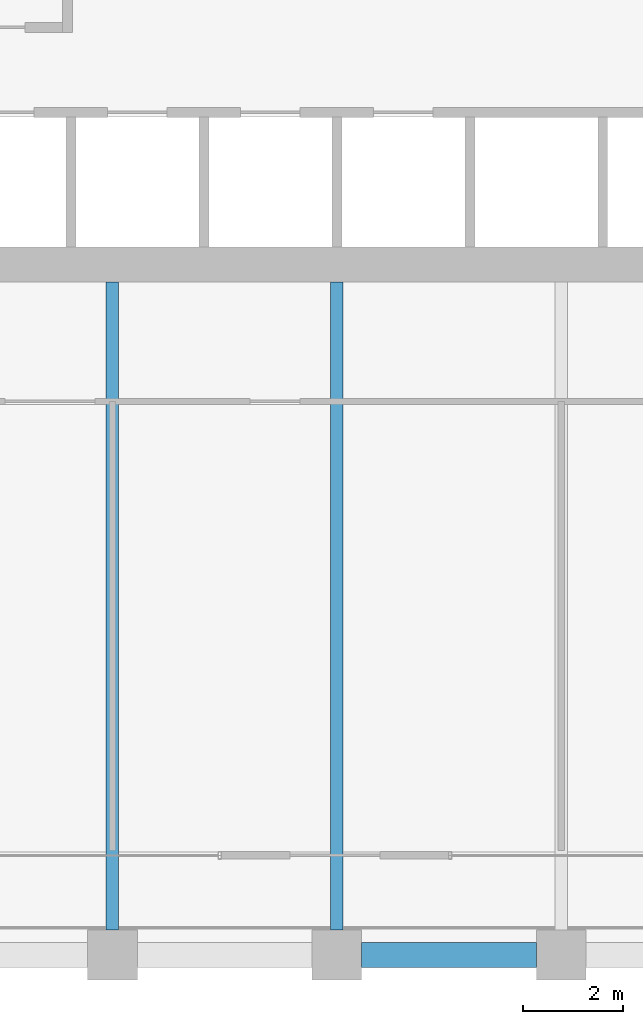
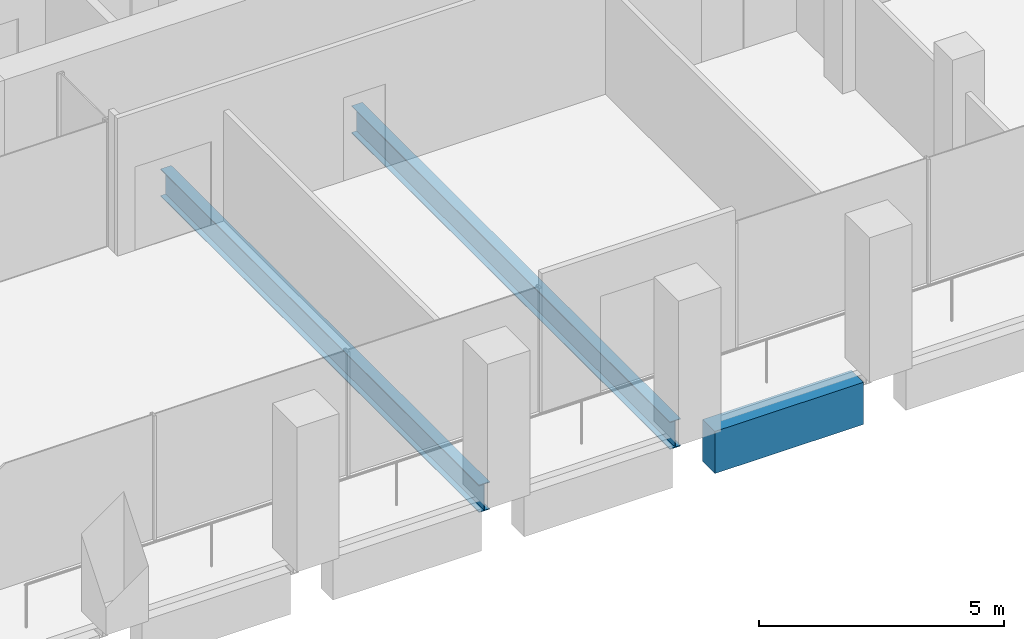
# One storey, part 8 of 47: 3 beams.
"""IFC4 building model written with IfcOpenShell, lengths in metres."""

from ifc_helpers import new_model, si_unit, direction, frame, origin, origin_2d, place, context, subcontext, project, spatial, rectangle, i_section, extrude, material, material_profile, profile_set, type_object, element, save


model = new_model("IFC4")

# Units and contexts
model_context = context("Model", 3, precision=1e-05, world=origin(), true_north=direction((0.0, 1.0)))
body_context = subcontext(model_context, "Body", "Model", "MODEL_VIEW")
ifc_project = project(units=[si_unit("LENGTHUNIT", "METRE"), si_unit("AREAUNIT", "SQUARE_METRE"), si_unit("VOLUMEUNIT", "CUBIC_METRE"), si_unit("PLANEANGLEUNIT", "RADIAN"), si_unit("MASSUNIT", "GRAM", prefix="KILO")], contexts=[model_context])

# Site, building, storey
site_placement = place(None, origin())
site = spatial("IfcSite", under=ifc_project, at=site_placement, CompositionType="ELEMENT")
building_placement = place(site_placement, origin())
building = spatial("IfcBuilding", under=site, at=building_placement, Name="Altepetl Exchange Towers", CompositionType="ELEMENT")
storey_placement = place(building_placement, frame((0.0, 0.0, 95.60009765625)))
storey = spatial("IfcBuildingStorey", under=building, at=storey_placement, Name="L23", CompositionType="ELEMENT", Elevation=95.60009765625)

# Beams
ifc_material_1 = material(Name="Steel S355", Category="steel")
ifc_material_profile_1 = material_profile(ifc_material_1, i_section(OverallWidth=0.25390625, OverallDepth=0.68408203125, WebThickness=0.012451171875, FlangeThickness=0.018798828125, at=origin_2d()), Name="W27X94")
ifc_profile_set_1 = profile_set([ifc_material_profile_1], Name="Steel S355")
beam_type_1 = type_object("IfcBeamType", Name="Floor beam W27X94", PredefinedType="BEAM", material=ifc_profile_set_1)
for number, where, z_axis, x_axis, name in (
    (1, (45.0, 27.5, -0.4921875), (0.0, 1.0, 0.0), (-1.0, 0.0, 0.0), "bm:A:L23:015"),
    (2, (49.5, 27.5, -0.4921875), (0.0, 1.0, 0.0), (-1.0, 0.0, 0.0), "bm:A:L23:016"),
):
    element("IfcBeam", number, at=place(storey_placement, frame(where, z_axis=z_axis, x_axis=x_axis)), inside=storey, type_object=beam_type_1, Name=name, PredefinedType="BEAM", context=body_context, shape_type="SweptSolid", body=[
        extrude(i_section(OverallWidth=0.25390625, OverallDepth=0.68408203125, WebThickness=0.012451171875, FlangeThickness=0.018798828125, at=origin_2d()), origin(), (0.0, 0.0, 1.0), 13.0),
    ])
ifc_material_2 = material(Name="Concrete C50/60 precast with cantera blanca facing", Category="concrete")
ifc_material_profile_2 = material_profile(ifc_material_2, rectangle(XDim=0.5, YDim=1.050048828125, at=origin_2d()), Name="500 x 1050")
ifc_profile_set_2 = profile_set([ifc_material_profile_2], Name="Concrete C50/60 precast with cantera blanca facing")
beam_type_2 = type_object("IfcBeamType", Name="Spandrel beam 500x1050 cantera blanca", PredefinedType="SPANDREL", material=ifc_profile_set_2)
beam_placement = place(storey_placement, frame((50.0, 27.0, -0.675048828125), z_axis=(1.0, 0.0, 0.0), x_axis=(0.0, 1.0, 0.0)))
element("IfcBeam", 3, at=beam_placement, inside=storey, type_object=beam_type_2, Name="sp:A:L23:004", PredefinedType="SPANDREL", context=body_context, shape_type="SweptSolid", body=[
    extrude(rectangle(XDim=0.5, YDim=1.050048828125, at=origin_2d()), origin(), (0.0, 0.0, 1.0), 3.5),
])

save(model, "model.ifc")
